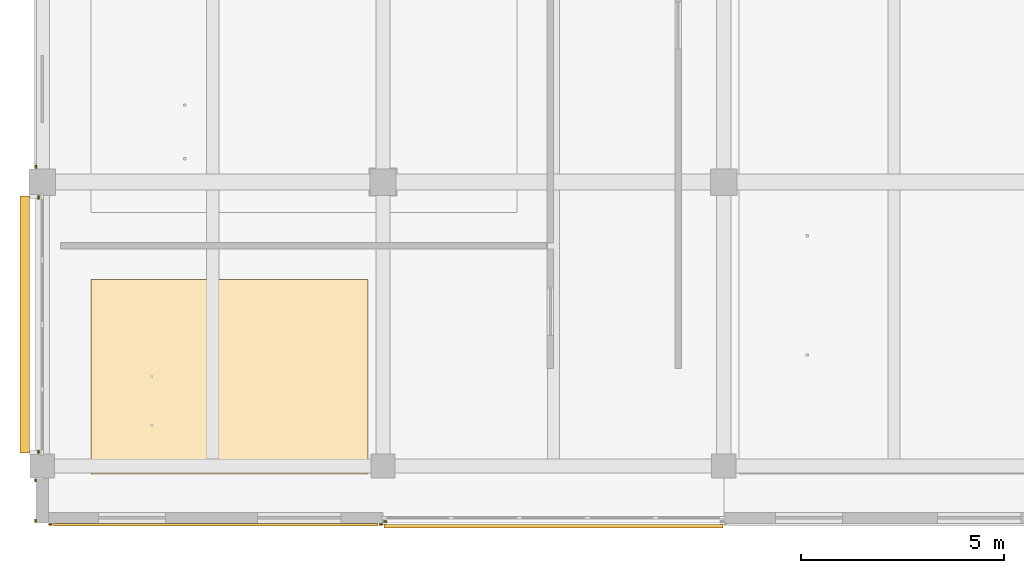
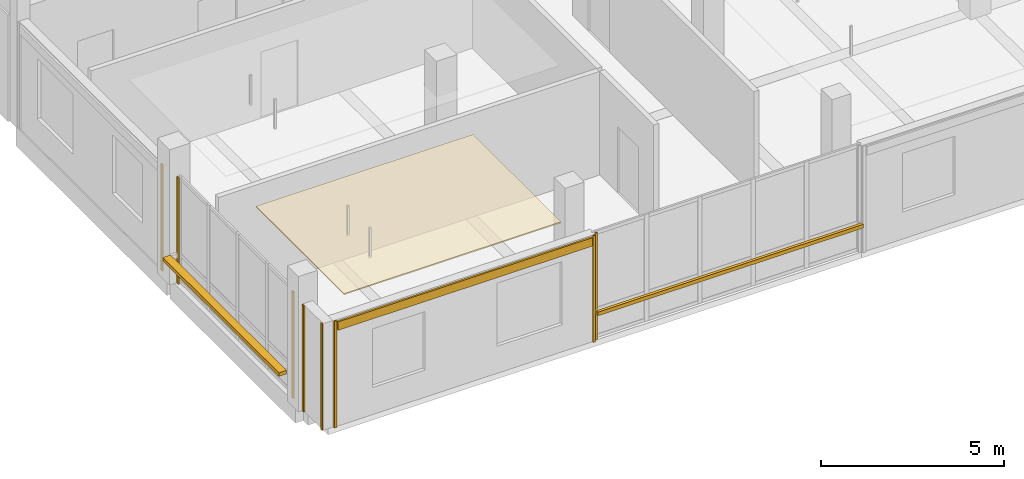
# One storey, part 21 of 30: 10 coverings, 2 shading devices.
"""IFC4 building model written with IfcOpenShell, lengths in metres."""

from ifc_helpers import new_model, si_unit, direction, frame, origin, origin_2d, place, context, subcontext, project, spatial, polyline, rectangle, outline, extrude, material, layer, layer_set, type_object, element, save


model = new_model("IFC4")

# Units and contexts
model_context = context("Model", 3, precision=1e-05, world=origin(), true_north=direction((0.0, 1.0)))
body_context = subcontext(model_context, "Body", "Model", "MODEL_VIEW")
ifc_project = project(units=[si_unit("LENGTHUNIT", "METRE"), si_unit("AREAUNIT", "SQUARE_METRE"), si_unit("VOLUMEUNIT", "CUBIC_METRE"), si_unit("PLANEANGLEUNIT", "RADIAN"), si_unit("MASSUNIT", "GRAM", prefix="KILO")], contexts=[model_context])

# Site, building, storey
site_placement = place(None, origin())
site = spatial("IfcSite", under=ifc_project, at=site_placement, CompositionType="ELEMENT")
building_placement = place(site_placement, origin())
building = spatial("IfcBuilding", under=site, at=building_placement, Name="Telukmera Botanical Conservatory", CompositionType="ELEMENT")
storey_placement = place(building_placement, frame((0.0, 0.0, 60.0)))
storey = spatial("IfcBuildingStorey", under=building, at=storey_placement, Name="L13", CompositionType="ELEMENT", Elevation=60.0)

# Coverings
ifc_material_1 = material(Name="Perforated gypsum acoustic ceiling")
ifc_layer_1 = layer(ifc_material_1, 0.0400390625)
ifc_layer_set_1 = layer_set([ifc_layer_1], Name="Perforated gypsum acoustic ceiling")
covering_type_1 = type_object("IfcCoveringType", Name="COV-CEIL-40", PredefinedType="CEILING", material=ifc_layer_set_1)
covering_1_placement = place(storey_placement, frame((0.0, 0.0, 3.31005859375)))
element("IfcCovering", 1, at=covering_1_placement, inside=storey, type_object=covering_type_1, Name="L13 Rainforest Phenology Laboratory Suspended Acoustic Ceiling", PredefinedType="CEILING", context=body_context, shape_type="SweptSolid", body=[
    extrude(outline(polyline([(60.0, 10.39990234375), (66.830078125, 10.39990234375), (66.830078125, 15.199951171875), (60.0, 15.199951171875), (60.0, 10.39990234375)])), origin(), (0.0, 0.0, 1.0), 0.0400390625),
])
ifc_material_2 = material(Name="Granite-faced precast concrete C40/50", Category="masonry")
ifc_layer_2 = layer(ifc_material_2, 0.0400390625)
ifc_layer_set_2 = layer_set([ifc_layer_2], Name="Granite-faced precast concrete C40/50")
covering_type_2 = type_object("IfcCoveringType", Name="Granite Precast Column Pier Reveal Casing", PredefinedType="CLADDING", material=ifc_layer_set_2)
for number, where, z_axis, x_axis, name in (
    (2, (58.6298828125, 9.25, 0.0), (0.0, 0.0, 1.0), (0.0, 1.0, 0.0), "Granite Pier Reveal V4:L13:SWC L"),
    (3, (58.6298828125, 10.248046875, 0.0), (0.0, 0.0, 1.0), (0.0, 1.0, 0.0), "Granite Pier Reveal V4:L13:SWC R"),
    (4, (59.001953125, 9.159912109375, 0.0), (0.0, 0.0, 1.0), (1.0, 0.0, 0.0), "Granite Pier Reveal V4:L13:S1 L"),
    (5, (67.14794921875, 9.159912109375, 0.0), (0.0, 0.0, 1.0), (1.0, 0.0, 0.0), "Granite Pier Reveal V4:L13:S1 R"),
    (6, (67.251953125, 9.22998046875, 0.0), (0.0, 0.0, 1.0), (1.0, 0.0, 0.0), "Granite Pier Reveal V4:L13:S2 L"),
    (7, (58.7099609375, 10.951904296875, 0.0), (0.0, 0.0, 1.0), (0.0, 1.0, 0.0), "Granite Pier Reveal V4:L13:W1 L"),
    (8, (58.7099609375, 17.222900390625, 0.0), (0.0, 0.0, 1.0), (0.0, 1.0, 0.0), "Granite Pier Reveal V4:L13:W1 R"),
    (9, (58.639892578125, 17.97705078125, 0.0), (0.0, 0.0, 1.0), (0.0, 1.0, 0.0), "Granite Pier Reveal V4:L13:W2 L"),
):
    element("IfcCovering", number, at=place(storey_placement, frame(where, z_axis=z_axis, x_axis=x_axis)), inside=storey, type_object=covering_type_2, Name=name, PredefinedType="CLADDING", context=body_context, shape_type="SweptSolid", body=[
        extrude(rectangle(XDim=0.080078125, YDim=0.0400390625, at=origin_2d()), origin(), (0.0, 0.0, 1.0), 3.550048828125),
    ])

# Shading devices
ifc_material_3 = material(Name="Perforated terracotta-anodised aluminium 6063-T6", Category="masonry")
ifc_layer_3 = layer(ifc_material_3, 0.044921875)
ifc_layer_set_3 = layer_set([ifc_layer_3], Name="Perforated terracotta-anodised aluminium 6063-T6")
shading_device_type = type_object("IfcShadingDeviceType", Name="Perforated Terracotta Aluminium Monsoon Brise Soleil", PredefinedType="JALOUSIE", material=ifc_layer_set_3)
shading_device_1_placement = place(storey_placement, frame((71.39990234375, 9.114990234375, 0.889892578125), z_axis=(0.0, 0.0, 1.0), x_axis=(1.0, 0.0, 0.0)))
element("IfcShadingDevice", 10, at=shading_device_1_placement, inside=storey, type_object=shading_device_type, Name="Monsoon Shading BS01 V4:L13:S2", PredefinedType="JALOUSIE", context=body_context, shape_type="SweptSolid", body=[
    extrude(rectangle(XDim=8.35595703125, YDim=0.090087890625, at=origin_2d()), origin(), (0.0, 0.0, 1.0), 0.1201171875),
])
shading_device_2_placement = place(storey_placement, frame((58.3701171875, 14.08740234375, 0.889892578125), z_axis=(0.0, 0.0, 1.0), x_axis=(0.0, 1.0, 0.0)))
element("IfcShadingDevice", 11, at=shading_device_2_placement, inside=storey, type_object=shading_device_type, Name="Monsoon Shading BS01 V4:L13:W1", PredefinedType="JALOUSIE", context=body_context, shape_type="SweptSolid", body=[
    extrude(rectangle(XDim=6.3310546875, YDim=0.239990234375, at=origin_2d()), origin(), (0.0, 0.0, 1.0), 0.1201171875),
])

# Covering
ifc_material_4 = material(Name="Terracotta-faced precast concrete C40/50", Category="masonry")
ifc_layer_4 = layer(ifc_material_4, 0.06005859375)
ifc_layer_set_4 = layer_set([ifc_layer_4], Name="Terracotta-faced precast concrete C40/50")
covering_type_3 = type_object("IfcCoveringType", Name="Polychrome Terracotta Facade Band Cladding", PredefinedType="CLADDING", material=ifc_layer_set_4)
covering_2_placement = place(storey_placement, frame((63.074951171875, 9.14990234375, 3.22998046875), z_axis=(0.0, 0.0, 1.0), x_axis=(1.0, 0.0, 0.0)))
element("IfcCovering", 12, at=covering_2_placement, inside=storey, type_object=covering_type_3, Name="Polychrome Terracotta Band V4:L13:S1", PredefinedType="CLADDING", context=body_context, shape_type="SweptSolid", body=[
    extrude(rectangle(XDim=8.006103515625, YDim=0.06005859375, at=origin_2d()), origin(), (0.0, 0.0, 1.0), 0.280029296875),
])

save(model, "model.ifc")
